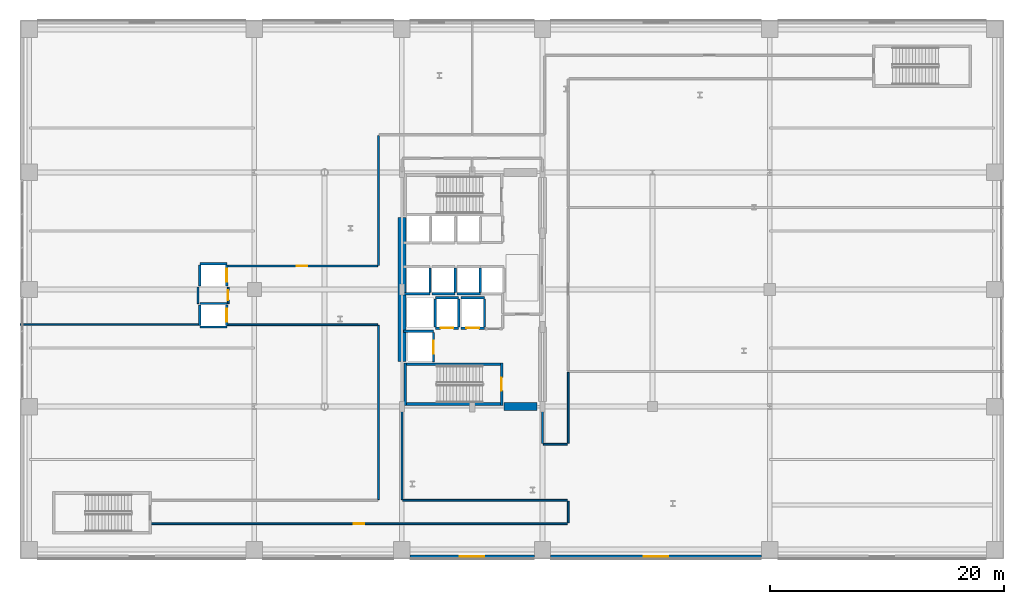
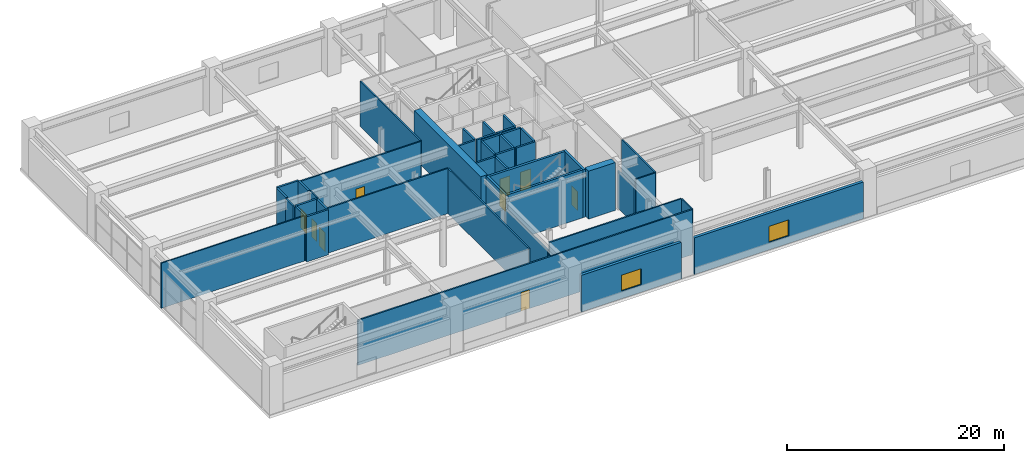
# One storey, part 20 of 28: 44 walls, 9 doors, 2 windows, 11 openings.
"""IFC4 building model written with IfcOpenShell, lengths in metres."""

from ifc_helpers import new_model, si_unit, direction, frame, frame_2d, origin, place, context, subcontext, project, spatial, rectangle, extrude, material, layer, layer_set, type_object, element, fill, save


model = new_model("IFC4")

# Units and contexts
model_context = context("Model", 3, precision=1e-05, world=origin(), true_north=direction((0.0, 1.0)))
body_context = subcontext(model_context, "Body", "Model", "MODEL_VIEW")
ifc_project = project(units=[si_unit("LENGTHUNIT", "METRE"), si_unit("AREAUNIT", "SQUARE_METRE"), si_unit("VOLUMEUNIT", "CUBIC_METRE"), si_unit("PLANEANGLEUNIT", "RADIAN"), si_unit("MASSUNIT", "GRAM", prefix="KILO")], contexts=[model_context])

# Site, building, storey
site_placement = place(None, origin())
site = spatial("IfcSite", under=ifc_project, at=site_placement, CompositionType="ELEMENT")
building_placement = place(site_placement, origin())
building = spatial("IfcBuilding", under=site, at=building_placement, Name="Soratama Intermodal Tower", CompositionType="ELEMENT")
storey_placement = place(building_placement, frame((0.0, 0.0, 6.0)))
storey = spatial("IfcBuildingStorey", under=building, at=storey_placement, Name="L01", CompositionType="ELEMENT", Elevation=6.0)

# Wall, opening, window
ifc_material_1 = material(Name="Concrete f'c 42 MPa", Category="concrete")
ifc_layer_1 = layer(ifc_material_1, 0.300048828125)
ifc_layer_set_1 = layer_set([ifc_layer_1], Name="Concrete f'c 42 MPa")
wall_type_1 = type_object("IfcWallType", Name="EW-STONE-300", PredefinedType="SOLIDWALL", material=ifc_layer_set_1)
wall_1_placement = place(storey_placement, frame((43.89990234375, 2.199951171875, 0.0), z_axis=(0.0, 0.0, 1.0), x_axis=(-1.0, 0.0, 0.0)))
wall_1 = element("IfcWall", 1, at=wall_1_placement, inside=storey, type_object=wall_type_1, Name="L01 S Limestone Wall B3", PredefinedType="SOLIDWALL", context=body_context, shape_type="SweptSolid", body=[
    extrude(rectangle(XDim=10.599853515625, YDim=0.300048828125, at=frame_2d((5.2998046875, 0.0))), origin(), (0.0, 0.0, 1.0), 4.135986328125),
])
opening_1_placement = place(wall_1_placement, frame((4.25, 0.0, 0.85009765625)))
opening_1 = element("IfcOpeningElement", 2, at=opening_1_placement, cuts=wall_1, Name="Opening WN-0", PredefinedType="OPENING", context=body_context, shape_type="SweptSolid", body=[
    extrude(rectangle(XDim=2.10009765625, YDim=1.800048828125, at=frame_2d((1.050048828125, 0.89990234375))), frame((0.0, 0.159912109375, 0.0), z_axis=(0.0, -1.0, 0.0), x_axis=(1.0, 0.0, 0.0)), (0.0, 0.0, 1.0), 0.320068359375),
])
ifc_material_2 = material(Name="Double-glazed aluminium window", Category="aluminium")
window_type = type_object("IfcWindowType", Name="WN-POD-2100", PartitioningType="SINGLE_PANEL", PredefinedType="WINDOW", material=ifc_material_2)
window_1_placement = place(opening_1_placement, origin())
window_1 = element("IfcWindow", 3, at=window_1_placement, inside=storey, type_object=window_type, Name="L01 S Window B3", OverallHeight=1.800048828125, OverallWidth=2.10009765625, PartitioningType="SINGLE_PANEL", PredefinedType="WINDOW", context=body_context, shape_type="SweptSolid", body=[
    extrude(rectangle(XDim=2.10009765625, YDim=1.800048828125, at=frame_2d((1.050048828125, 0.89990234375))), frame((0.0, 0.030029296875, 0.0), z_axis=(0.0, -1.0, 0.0), x_axis=(1.0, 0.0, 0.0)), (0.0, 0.0, 1.0), 0.06005859375),
])
fill(opening_1, window_1)

wall_2_placement = place(storey_placement, frame((63.300048828125, 2.199951171875, 0.0), z_axis=(0.0, 0.0, 1.0), x_axis=(-1.0, 0.0, 0.0)))
wall_2 = element("IfcWall", 4, at=wall_2_placement, inside=storey, type_object=wall_type_1, Name="L01 S Limestone Wall B4", PredefinedType="SOLIDWALL", context=body_context, shape_type="SweptSolid", body=[
    extrude(rectangle(XDim=18.0, YDim=0.300048828125, at=frame_2d((9.0, 0.0))), origin(), (0.0, 0.0, 1.0), 4.135986328125),
])
opening_2_placement = place(wall_2_placement, frame((7.949951171875, 0.0, 0.85009765625)))
opening_2 = element("IfcOpeningElement", 5, at=opening_2_placement, cuts=wall_2, Name="Opening WN-0", PredefinedType="OPENING", context=body_context, shape_type="SweptSolid", body=[
    extrude(rectangle(XDim=2.10009765625, YDim=1.800048828125, at=frame_2d((1.050048828125, 0.89990234375))), frame((0.0, 0.159912109375, 0.0), z_axis=(0.0, -1.0, 0.0), x_axis=(1.0, 0.0, 0.0)), (0.0, 0.0, 1.0), 0.320068359375),
])
window_2_placement = place(opening_2_placement, origin())
window_2 = element("IfcWindow", 6, at=window_2_placement, inside=storey, type_object=window_type, Name="L01 S Window B4", OverallHeight=1.800048828125, OverallWidth=2.10009765625, PartitioningType="SINGLE_PANEL", PredefinedType="WINDOW", context=body_context, shape_type="SweptSolid", body=[
    extrude(rectangle(XDim=2.10009765625, YDim=1.800048828125, at=frame_2d((1.050048828125, 0.89990234375))), frame((0.0, 0.030029296875, 0.0), z_axis=(0.0, -1.0, 0.0), x_axis=(1.0, 0.0, 0.0)), (0.0, 0.0, 1.0), 0.06005859375),
])
fill(opening_2, window_2)

# Wall, opening, door
ifc_material_3 = material(Name="Fire-rated gypsum stud partition", Category="concrete")
ifc_layer_2 = layer(ifc_material_3, 0.14990234375)
ifc_layer_set_2 = layer_set([ifc_layer_2], Name="Fire-rated gypsum stud partition")
wall_type_2 = type_object("IfcWallType", Name="IW-PART-R150", PredefinedType="PARTITIONING", material=ifc_layer_set_2)
wall_3_placement = place(storey_placement, frame((46.72998046875, 5.0, 0.0), z_axis=(0.0, 0.0, 1.0), x_axis=(-1.0, 0.0, 0.0)))
wall_3 = element("IfcWall", 7, at=wall_3_placement, inside=storey, type_object=wall_type_2, Name="L01 Partition W-L01-TP003", PredefinedType="PARTITIONING", context=body_context, shape_type="SweptSolid", body=[
    extrude(rectangle(XDim=35.60986328125, YDim=0.14990234375, at=frame_2d((17.804931640625, 0.0))), origin(), (0.0, 0.0, 1.0), 5.080078125),
])
opening_3_placement = place(wall_3_placement, frame((17.330078125, 0.0, 0.0)))
opening_3 = element("IfcOpeningElement", 8, at=opening_3_placement, cuts=wall_3, Name="Opening ID-6", PredefinedType="OPENING", context=body_context, shape_type="SweptSolid", body=[
    extrude(rectangle(XDim=0.919921875, YDim=2.1201171875, at=frame_2d((0.4599609375, 1.06005859375))), frame((0.0, 0.0849609375, 0.0), z_axis=(0.0, -1.0, 0.0), x_axis=(1.0, 0.0, 0.0)), (0.0, 0.0, 1.0), 0.169921875),
])
ifc_material_4 = material(Name="Solid hardwood acoustic door", Category="wood")
door_type_1 = type_object("IfcDoorType", Name="DR-ROOM-920", OperationType="NOTDEFINED", PredefinedType="DOOR", material=ifc_material_4)
door_1_placement = place(opening_3_placement, origin())
door_1 = element("IfcDoor", 9, at=door_1_placement, inside=storey, type_object=door_type_1, Name="L01 Door D-L01-TP001", OperationType="SINGLE_SWING_RIGHT", OverallHeight=2.1201171875, OverallWidth=0.919921875, PredefinedType="DOOR", context=body_context, shape_type="SweptSolid", body=[
    extrude(rectangle(XDim=0.919921875, YDim=2.1201171875, at=frame_2d((0.4599609375, 1.06005859375))), frame((0.0, 0.02490234375, 0.0), z_axis=(0.0, -1.0, 0.0), x_axis=(1.0, 0.0, 0.0)), (0.0, 0.0, 1.0), 0.050048828125),
])
fill(opening_3, door_1)

# Walls
wall_4_placement = place(storey_placement, frame((30.60009765625, 7.070068359375, 0.0), z_axis=(0.0, 0.0, 1.0), x_axis=(0.0, 1.0, 0.0)))
element("IfcWall", 10, at=wall_4_placement, inside=storey, type_object=wall_type_2, Name="L01 Partition W-L01-TP008", PredefinedType="PARTITIONING", context=body_context, shape_type="SweptSolid", body=[
    extrude(rectangle(XDim=14.85986328125, YDim=0.14990234375, at=frame_2d((7.429931640625, 0.0))), origin(), (0.0, 0.0, 1.0), 5.080078125),
])
wall_5_placement = place(storey_placement, frame((32.669921875, 7.0, 0.0), z_axis=(0.0, 0.0, 1.0), x_axis=(1.0, 0.0, 0.0)))
element("IfcWall", 11, at=wall_5_placement, inside=storey, type_object=wall_type_2, Name="L01 Partition W-L01-TP009", PredefinedType="PARTITIONING", context=body_context, shape_type="SweptSolid", body=[
    extrude(rectangle(XDim=14.06005859375, YDim=0.14990234375, at=frame_2d((7.030029296875, 0.0))), origin(), (0.0, 0.0, 1.0), 5.080078125),
])
wall_6_placement = place(storey_placement, frame((30.530029296875, 22.0, 0.0), z_axis=(0.0, 0.0, 1.0), x_axis=(-1.0, 0.0, 0.0)))
element("IfcWall", 12, at=wall_6_placement, inside=storey, type_object=wall_type_2, Name="L01 Partition W-L01-TP011", PredefinedType="PARTITIONING", context=body_context, shape_type="SweptSolid", body=[
    extrude(rectangle(XDim=12.880126953125, YDim=0.14990234375, at=frame_2d((6.43994140625, 0.0))), origin(), (0.0, 0.0, 1.0), 5.080078125),
])

# Wall, opening, door
wall_7_placement = place(storey_placement, frame((17.64990234375, 27.0, 0.0), z_axis=(0.0, 0.0, 1.0), x_axis=(1.0, 0.0, 0.0)))
wall_7 = element("IfcWall", 13, at=wall_7_placement, inside=storey, type_object=wall_type_2, Name="L01 Partition W-L01-TP012", PredefinedType="PARTITIONING", context=body_context, shape_type="SweptSolid", body=[
    extrude(rectangle(XDim=12.880126953125, YDim=0.14990234375, at=frame_2d((6.43994140625, 0.0))), origin(), (0.0, 0.0, 1.0), 5.080078125),
])
opening_4_placement = place(wall_7_placement, frame((5.965087890625, 0.0, 0.0)))
opening_4 = element("IfcOpeningElement", 14, at=opening_4_placement, cuts=wall_7, Name="Opening ID-6", PredefinedType="OPENING", context=body_context, shape_type="SweptSolid", body=[
    extrude(rectangle(XDim=0.919921875, YDim=2.1201171875, at=frame_2d((0.4599609375, 1.06005859375))), frame((0.0, 0.0849609375, 0.0), z_axis=(0.0, -1.0, 0.0), x_axis=(1.0, 0.0, 0.0)), (0.0, 0.0, 1.0), 0.169921875),
])
door_2_placement = place(opening_4_placement, origin())
door_2 = element("IfcDoor", 15, at=door_2_placement, inside=storey, type_object=door_type_1, Name="L01 Door D-L01-TP004", OperationType="SINGLE_SWING_LEFT", OverallHeight=2.1201171875, OverallWidth=0.919921875, PredefinedType="DOOR", context=body_context, shape_type="SweptSolid", body=[
    extrude(rectangle(XDim=0.919921875, YDim=2.1201171875, at=frame_2d((0.4599609375, 1.06005859375))), frame((0.0, 0.02490234375, 0.0), z_axis=(0.0, -1.0, 0.0), x_axis=(1.0, 0.0, 0.0)), (0.0, 0.0, 1.0), 0.050048828125),
])
fill(opening_4, door_2)

# Walls
wall_8_placement = place(storey_placement, frame((30.60009765625, 27.070068359375, 0.0), z_axis=(0.0, 0.0, 1.0), x_axis=(0.0, 1.0, 0.0)))
element("IfcWall", 16, at=wall_8_placement, inside=storey, type_object=wall_type_2, Name="L01 Partition W-L01-TP013", PredefinedType="PARTITIONING", context=body_context, shape_type="SweptSolid", body=[
    extrude(rectangle(XDim=11.059814453125, YDim=0.14990234375, at=frame_2d((5.52978515625, 0.0))), origin(), (0.0, 0.0, 1.0), 5.080078125),
])
wall_9_placement = place(storey_placement, frame((32.60009765625, 14.929931640625, 0.0), z_axis=(0.0, 0.0, 1.0), x_axis=(0.0, -1.0, 0.0)))
element("IfcWall", 17, at=wall_9_placement, inside=storey, type_object=wall_type_2, Name="L01 Partition W-L01-TP016", PredefinedType="PARTITIONING", context=body_context, shape_type="SweptSolid", body=[
    extrude(rectangle(XDim=7.85986328125, YDim=0.14990234375, at=frame_2d((3.929931640625, 0.0))), origin(), (0.0, 0.0, 1.0), 4.201904296875),
])
wall_10_placement = place(storey_placement, frame((46.800048828125, 17.929931640625, 0.0), z_axis=(0.0, 0.0, 1.0), x_axis=(0.0, -1.0, 0.0)))
element("IfcWall", 18, at=wall_10_placement, inside=storey, type_object=wall_type_2, Name="L01 Partition W-L01-TP020", PredefinedType="PARTITIONING", context=body_context, shape_type="SweptSolid", body=[
    extrude(rectangle(XDim=6.059814453125, YDim=0.14990234375, at=frame_2d((3.02978515625, 0.0))), origin(), (0.0, 0.0, 1.0), 5.080078125),
])
wall_11_placement = place(storey_placement, frame((44.60009765625, 11.8701171875, 0.0), z_axis=(0.0, 0.0, 1.0), x_axis=(0.0, 1.0, 0.0)))
element("IfcWall", 19, at=wall_11_placement, inside=storey, type_object=wall_type_2, Name="L01 Partition W-L01-TP025", PredefinedType="PARTITIONING", context=body_context, shape_type="SweptSolid", body=[
    extrude(rectangle(XDim=3.059814453125, YDim=0.14990234375, at=frame_2d((1.52978515625, 0.0))), origin(), (0.0, 0.0, 1.0), 4.201904296875),
])
wall_12_placement = place(storey_placement, frame((46.72998046875, 11.800048828125, 0.0), z_axis=(0.0, 0.0, 1.0), x_axis=(-1.0, 0.0, 0.0)))
element("IfcWall", 20, at=wall_12_placement, inside=storey, type_object=wall_type_2, Name="L01 Partition W-L01-TP027", PredefinedType="PARTITIONING", context=body_context, shape_type="SweptSolid", body=[
    extrude(rectangle(XDim=2.06005859375, YDim=0.14990234375, at=frame_2d((1.030029296875, 0.0))), origin(), (0.0, 0.0, 1.0), 5.080078125),
])
wall_13_placement = place(storey_placement, frame((46.800048828125, 6.929931640625, 0.0), z_axis=(0.0, 0.0, 1.0), x_axis=(0.0, -1.0, 0.0)))
element("IfcWall", 21, at=wall_13_placement, inside=storey, type_object=wall_type_2, Name="L01 Partition W-L01-TP028", PredefinedType="PARTITIONING", context=body_context, shape_type="SweptSolid", body=[
    extrude(rectangle(XDim=1.85986328125, YDim=0.14990234375, at=frame_2d((0.929931640625, 0.0))), origin(), (0.0, 0.0, 1.0), 5.080078125),
])

# Wall, opening, door
wall_14_placement = place(storey_placement, frame((17.77001953125, 23.800048828125, 0.0), z_axis=(0.0, 0.0, 1.0), x_axis=(0.0, 1.0, 0.0)))
wall_14 = element("IfcWall", 22, at=wall_14_placement, inside=storey, type_object=wall_type_2, Name="L01 Partition W-L01-TP032", PredefinedType="PARTITIONING", context=body_context, shape_type="SweptSolid", body=[
    extrude(rectangle(XDim=1.39990234375, YDim=0.14990234375, at=frame_2d((0.699951171875, 0.0))), origin(), (0.0, 0.0, 1.0), 5.080078125),
])
opening_5_placement = place(wall_14_placement, frame((0.27490234375, 0.0, 0.0)))
opening_5 = element("IfcOpeningElement", 23, at=opening_5_placement, cuts=wall_14, Name="Opening ID-4", PredefinedType="OPENING", context=body_context, shape_type="SweptSolid", body=[
    extrude(rectangle(XDim=0.85009765625, YDim=2.10009765625, at=frame_2d((0.425048828125, 1.050048828125))), frame((0.0, 0.0849609375, 0.0), z_axis=(0.0, -1.0, 0.0), x_axis=(1.0, 0.0, 0.0)), (0.0, 0.0, 1.0), 0.169921875),
])
ifc_material_5 = material(Name="Solid hardwood acoustic door", Category="wood")
door_type_2 = type_object("IfcDoorType", Name="DR-BATH-850", OperationType="NOTDEFINED", PredefinedType="DOOR", material=ifc_material_5)
door_3_placement = place(opening_5_placement, origin())
door_3 = element("IfcDoor", 24, at=door_3_placement, inside=storey, type_object=door_type_2, Name="L01 Door D-L01-TP011", OperationType="SINGLE_SWING_LEFT", OverallHeight=2.10009765625, OverallWidth=0.85009765625, PredefinedType="DOOR", context=body_context, shape_type="SweptSolid", body=[
    extrude(rectangle(XDim=0.85009765625, YDim=2.10009765625, at=frame_2d((0.425048828125, 1.050048828125))), frame((0.0, 0.02490234375, 0.0), z_axis=(0.0, -1.0, 0.0), x_axis=(1.0, 0.0, 0.0)), (0.0, 0.0, 1.0), 0.050048828125),
])
fill(opening_5, door_3)

# Walls
wall_15_placement = place(storey_placement, frame((15.205078125, 23.800048828125, 0.0), z_axis=(0.0, 0.0, 1.0), x_axis=(0.0, 1.0, 0.0)))
element("IfcWall", 25, at=wall_15_placement, inside=storey, type_object=wall_type_2, Name="L01 Partition W-L01-TP033", PredefinedType="PARTITIONING", context=body_context, shape_type="SweptSolid", body=[
    extrude(rectangle(XDim=1.39990234375, YDim=0.14990234375, at=frame_2d((0.699951171875, 0.0))), origin(), (0.0, 0.0, 1.0), 5.080078125),
])
ifc_material_6 = material(Name="Fire-rated gypsum stud partition", Category="concrete")
ifc_layer_3 = layer(ifc_material_6, 0.1298828125)
ifc_layer_set_3 = layer_set([ifc_layer_3], Name="Fire-rated gypsum stud partition")
wall_type_3 = type_object("IfcWallType", Name="IW-PART-S130", PredefinedType="PARTITIONING", material=ifc_layer_set_3)
wall_16_placement = place(storey_placement, frame((0.0, 22.0, 0.0), z_axis=(0.0, 0.0, 1.0), x_axis=(1.0, 0.0, 0.0)))
element("IfcWall", 26, at=wall_16_placement, inside=storey, type_object=wall_type_3, Name="L01 Partition W-L01-TP007", PredefinedType="PARTITIONING", context=body_context, shape_type="SweptSolid", body=[
    extrude(rectangle(XDim=15.35009765625, YDim=0.1298828125, at=frame_2d((7.675048828125, 0.0))), origin(), (0.0, 0.0, 1.0), 5.080078125),
])

# Wall, opening, door
ifc_material_7 = material(Name="Concrete f'c 42 MPa", Category="concrete")
ifc_layer_4 = layer(ifc_material_7, 0.199951171875)
ifc_layer_set_4 = layer_set([ifc_layer_4], Name="Concrete f'c 42 MPa")
wall_type_4 = type_object("IfcWallType", Name="IW-SHAFT-200", PredefinedType="SOLIDWALL", material=ifc_layer_set_4)
wall_17_placement = place(storey_placement, frame((35.449951171875, 21.699951171875, 0.0), z_axis=(0.0, 0.0, 1.0), x_axis=(1.0, 0.0, 0.0)))
wall_17 = element("IfcWall", 27, at=wall_17_placement, inside=storey, type_object=wall_type_4, Name="L01 FFL-1 Hoistway Wall S", PredefinedType="SOLIDWALL", context=body_context, shape_type="SweptSolid", body=[
    extrude(rectangle(XDim=2.0, YDim=0.199951171875, at=frame_2d((1.0, 0.0))), origin(), (0.0, 0.0, 1.0), 5.080078125),
])
opening_6_placement = place(wall_17_placement, frame((0.449951171875, 0.0, 0.0)))
opening_6 = element("IfcOpeningElement", 28, at=opening_6_placement, cuts=wall_17, Name="Opening LD-1", PredefinedType="OPENING", context=body_context, shape_type="SweptSolid", body=[
    extrude(rectangle(XDim=1.10009765625, YDim=2.14990234375, at=frame_2d((0.550048828125, 1.074951171875))), frame((0.0, 0.10986328125, 0.0), z_axis=(0.0, -1.0, 0.0), x_axis=(1.0, 0.0, 0.0)), (0.0, 0.0, 1.0), 0.219970703125),
])
ifc_material_8 = material(Name="Steel fire door", Category="steel")
door_type_3 = type_object("IfcDoorType", Name="DR-LIFT-SLIDE", OperationType="NOTDEFINED", PredefinedType="DOOR", material=ifc_material_8)
door_4_placement = place(opening_6_placement, origin())
door_4 = element("IfcDoor", 29, at=door_4_placement, inside=storey, type_object=door_type_3, Name="L01 FFL-1 Sliding Landing Door", OperationType="SLIDING_TO_LEFT", OverallHeight=2.14990234375, OverallWidth=1.10009765625, PredefinedType="DOOR", context=body_context, shape_type="SweptSolid", body=[
    extrude(rectangle(XDim=1.10009765625, YDim=2.14990234375, at=frame_2d((0.550048828125, 1.074951171875))), frame((0.0, 0.02490234375, 0.0), z_axis=(0.0, -1.0, 0.0), x_axis=(1.0, 0.0, 0.0)), (0.0, 0.0, 1.0), 0.050048828125),
])
fill(opening_6, door_4)

# Walls
wall_18_placement = place(storey_placement, frame((35.449951171875, 24.300048828125, 0.0), z_axis=(0.0, 0.0, 1.0), x_axis=(1.0, 0.0, 0.0)))
element("IfcWall", 30, at=wall_18_placement, inside=storey, type_object=wall_type_4, Name="L01 FFL-1 Hoistway Wall N", PredefinedType="SOLIDWALL", context=body_context, shape_type="SweptSolid", body=[
    extrude(rectangle(XDim=2.0, YDim=0.199951171875, at=frame_2d((1.0, 0.0))), origin(), (0.0, 0.0, 1.0), 5.080078125),
])
for number, where, z_axis, x_axis, name in (
    (31, (35.449951171875, 21.81005859375, 0.0), (0.0, 0.0, 1.0), (0.0, 1.0, 0.0), "L01 FFL-1 Hoistway Wall W"),
    (32, (37.449951171875, 21.81005859375, 0.0), (0.0, 0.0, 1.0), (0.0, 1.0, 0.0), "L01 FFL-1 Hoistway Wall E"),
):
    element("IfcWall", number, at=place(storey_placement, frame(where, z_axis=z_axis, x_axis=x_axis)), inside=storey, type_object=wall_type_4, Name=name, PredefinedType="SOLIDWALL", context=body_context, shape_type="SweptSolid", body=[
        extrude(rectangle(XDim=2.3798828125, YDim=0.199951171875, at=frame_2d((1.18994140625, 0.0))), origin(), (0.0, 0.0, 1.0), 5.080078125),
    ])

# Wall, opening, door
wall_19_placement = place(storey_placement, frame((37.64990234375, 21.699951171875, 0.0), z_axis=(0.0, 0.0, 1.0), x_axis=(1.0, 0.0, 0.0)))
wall_19 = element("IfcWall", 33, at=wall_19_placement, inside=storey, type_object=wall_type_4, Name="L01 FFL-2 Hoistway Wall S", PredefinedType="SOLIDWALL", context=body_context, shape_type="SweptSolid", body=[
    extrude(rectangle(XDim=2.0, YDim=0.199951171875, at=frame_2d((1.0, 0.0))), origin(), (0.0, 0.0, 1.0), 5.080078125),
])
opening_7_placement = place(wall_19_placement, frame((0.449951171875, 0.0, 0.0)))
opening_7 = element("IfcOpeningElement", 34, at=opening_7_placement, cuts=wall_19, Name="Opening LD-1", PredefinedType="OPENING", context=body_context, shape_type="SweptSolid", body=[
    extrude(rectangle(XDim=1.10009765625, YDim=2.14990234375, at=frame_2d((0.550048828125, 1.074951171875))), frame((0.0, 0.10986328125, 0.0), z_axis=(0.0, -1.0, 0.0), x_axis=(1.0, 0.0, 0.0)), (0.0, 0.0, 1.0), 0.219970703125),
])
door_5_placement = place(opening_7_placement, origin())
door_5 = element("IfcDoor", 35, at=door_5_placement, inside=storey, type_object=door_type_3, Name="L01 FFL-2 Sliding Landing Door", OperationType="SLIDING_TO_LEFT", OverallHeight=2.14990234375, OverallWidth=1.10009765625, PredefinedType="DOOR", context=body_context, shape_type="SweptSolid", body=[
    extrude(rectangle(XDim=1.10009765625, YDim=2.14990234375, at=frame_2d((0.550048828125, 1.074951171875))), frame((0.0, 0.02490234375, 0.0), z_axis=(0.0, -1.0, 0.0), x_axis=(1.0, 0.0, 0.0)), (0.0, 0.0, 1.0), 0.050048828125),
])
fill(opening_7, door_5)

# Walls
wall_20_placement = place(storey_placement, frame((37.64990234375, 24.300048828125, 0.0), z_axis=(0.0, 0.0, 1.0), x_axis=(1.0, 0.0, 0.0)))
element("IfcWall", 36, at=wall_20_placement, inside=storey, type_object=wall_type_4, Name="L01 FFL-2 Hoistway Wall N", PredefinedType="SOLIDWALL", context=body_context, shape_type="SweptSolid", body=[
    extrude(rectangle(XDim=2.0, YDim=0.199951171875, at=frame_2d((1.0, 0.0))), origin(), (0.0, 0.0, 1.0), 5.080078125),
])
wall_21_placement = place(storey_placement, frame((39.64990234375, 21.81005859375, 0.0), z_axis=(0.0, 0.0, 1.0), x_axis=(0.0, 1.0, 0.0)))
element("IfcWall", 37, at=wall_21_placement, inside=storey, type_object=wall_type_4, Name="L01 FFL-2 Hoistway Wall E", PredefinedType="SOLIDWALL", context=body_context, shape_type="SweptSolid", body=[
    extrude(rectangle(XDim=2.3798828125, YDim=0.199951171875, at=frame_2d((1.18994140625, 0.0))), origin(), (0.0, 0.0, 1.0), 5.080078125),
])
wall_22_placement = place(storey_placement, frame((32.719970703125, 21.449951171875, 0.0), z_axis=(0.0, 0.0, 1.0), x_axis=(1.0, 0.0, 0.0)))
element("IfcWall", 38, at=wall_22_placement, inside=storey, type_object=wall_type_4, Name="L01 SVL-1 Hoistway Wall N", PredefinedType="SOLIDWALL", context=body_context, shape_type="SweptSolid", body=[
    extrude(rectangle(XDim=2.580078125, YDim=0.199951171875, at=frame_2d((1.2900390625, 0.0))), origin(), (0.0, 0.0, 1.0), 5.080078125),
])

# Wall, opening, door
wall_23_placement = place(storey_placement, frame((35.300048828125, 18.7900390625, 0.0), z_axis=(0.0, 0.0, 1.0), x_axis=(0.0, 1.0, 0.0)))
wall_23 = element("IfcWall", 39, at=wall_23_placement, inside=storey, type_object=wall_type_4, Name="L01 SVL-1 Hoistway Wall E", PredefinedType="SOLIDWALL", context=body_context, shape_type="SweptSolid", body=[
    extrude(rectangle(XDim=2.550048828125, YDim=0.199951171875, at=frame_2d((1.27490234375, 0.0))), origin(), (0.0, 0.0, 1.0), 5.080078125),
])
opening_8_placement = place(wall_23_placement, frame((0.72509765625, 0.0, 0.0)))
opening_8 = element("IfcOpeningElement", 40, at=opening_8_placement, cuts=wall_23, Name="Opening LD-1", PredefinedType="OPENING", context=body_context, shape_type="SweptSolid", body=[
    extrude(rectangle(XDim=1.10009765625, YDim=2.14990234375, at=frame_2d((0.550048828125, 1.074951171875))), frame((0.0, 0.10986328125, 0.0), z_axis=(0.0, -1.0, 0.0), x_axis=(1.0, 0.0, 0.0)), (0.0, 0.0, 1.0), 0.219970703125),
])
door_6_placement = place(opening_8_placement, origin())
door_6 = element("IfcDoor", 41, at=door_6_placement, inside=storey, type_object=door_type_3, Name="L01 SVL-1 Sliding Landing Door", OperationType="SLIDING_TO_LEFT", OverallHeight=2.14990234375, OverallWidth=1.10009765625, PredefinedType="DOOR", context=body_context, shape_type="SweptSolid", body=[
    extrude(rectangle(XDim=1.10009765625, YDim=2.14990234375, at=frame_2d((0.550048828125, 1.074951171875))), frame((0.0, 0.02490234375, 0.0), z_axis=(0.0, -1.0, 0.0), x_axis=(1.0, 0.0, 0.0)), (0.0, 0.0, 1.0), 0.050048828125),
])
fill(opening_8, door_6)

# Walls
for number, where, z_axis, x_axis, name in (
    (42, (15.35009765625, 21.800048828125, 0.0), (0.0, 0.0, 1.0), (1.0, 0.0, 0.0), "L01 PL-P1 Hoistway Wall S"),
    (43, (15.35009765625, 23.800048828125, 0.0), (0.0, 0.0, 1.0), (1.0, 0.0, 0.0), "L01 PL-P1 Hoistway Wall N"),
):
    element("IfcWall", number, at=place(storey_placement, frame(where, z_axis=z_axis, x_axis=x_axis)), inside=storey, type_object=wall_type_4, Name=name, PredefinedType="SOLIDWALL", context=body_context, shape_type="SweptSolid", body=[
        extrude(rectangle(XDim=2.2998046875, YDim=0.199951171875, at=frame_2d((1.14990234375, 0.0))), origin(), (0.0, 0.0, 1.0), 5.080078125),
    ])
wall_24_placement = place(storey_placement, frame((15.35009765625, 21.909912109375, 0.0), z_axis=(0.0, 0.0, 1.0), x_axis=(0.0, 1.0, 0.0)))
element("IfcWall", 44, at=wall_24_placement, inside=storey, type_object=wall_type_4, Name="L01 PL-P1 Hoistway Wall W", PredefinedType="SOLIDWALL", context=body_context, shape_type="SweptSolid", body=[
    extrude(rectangle(XDim=1.780029296875, YDim=0.199951171875, at=frame_2d((0.89013671875, 0.0))), origin(), (0.0, 0.0, 1.0), 5.080078125),
])

# Wall, opening, door
wall_25_placement = place(storey_placement, frame((17.64990234375, 21.909912109375, 0.0), z_axis=(0.0, 0.0, 1.0), x_axis=(0.0, 1.0, 0.0)))
wall_25 = element("IfcWall", 45, at=wall_25_placement, inside=storey, type_object=wall_type_4, Name="L01 PL-P1 Hoistway Wall E", PredefinedType="SOLIDWALL", context=body_context, shape_type="SweptSolid", body=[
    extrude(rectangle(XDim=1.780029296875, YDim=0.199951171875, at=frame_2d((0.89013671875, 0.0))), origin(), (0.0, 0.0, 1.0), 5.080078125),
])
opening_9_placement = place(wall_25_placement, frame((0.340087890625, 0.0, 0.0)))
opening_9 = element("IfcOpeningElement", 46, at=opening_9_placement, cuts=wall_25, Name="Opening LD-1", PredefinedType="OPENING", context=body_context, shape_type="SweptSolid", body=[
    extrude(rectangle(XDim=1.10009765625, YDim=2.14990234375, at=frame_2d((0.550048828125, 1.074951171875))), frame((0.0, 0.10986328125, 0.0), z_axis=(0.0, -1.0, 0.0), x_axis=(1.0, 0.0, 0.0)), (0.0, 0.0, 1.0), 0.219970703125),
])
door_7_placement = place(opening_9_placement, origin())
door_7 = element("IfcDoor", 47, at=door_7_placement, inside=storey, type_object=door_type_3, Name="L01 PL-P1 Sliding Landing Door", OperationType="SLIDING_TO_LEFT", OverallHeight=2.14990234375, OverallWidth=1.10009765625, PredefinedType="DOOR", context=body_context, shape_type="SweptSolid", body=[
    extrude(rectangle(XDim=1.10009765625, YDim=2.14990234375, at=frame_2d((0.550048828125, 1.074951171875))), frame((0.0, 0.02490234375, 0.0), z_axis=(0.0, -1.0, 0.0), x_axis=(1.0, 0.0, 0.0)), (0.0, 0.0, 1.0), 0.050048828125),
])
fill(opening_9, door_7)

# Walls
wall_26_placement = place(storey_placement, frame((15.35009765625, 27.199951171875, 0.0), z_axis=(0.0, 0.0, 1.0), x_axis=(1.0, 0.0, 0.0)))
element("IfcWall", 48, at=wall_26_placement, inside=storey, type_object=wall_type_4, Name="L01 PL-P2 Hoistway Wall N", PredefinedType="SOLIDWALL", context=body_context, shape_type="SweptSolid", body=[
    extrude(rectangle(XDim=2.2998046875, YDim=0.199951171875, at=frame_2d((1.14990234375, 0.0))), origin(), (0.0, 0.0, 1.0), 5.080078125),
])
wall_27_placement = place(storey_placement, frame((15.35009765625, 25.31005859375, 0.0), z_axis=(0.0, 0.0, 1.0), x_axis=(0.0, 1.0, 0.0)))
element("IfcWall", 49, at=wall_27_placement, inside=storey, type_object=wall_type_4, Name="L01 PL-P2 Hoistway Wall W", PredefinedType="SOLIDWALL", context=body_context, shape_type="SweptSolid", body=[
    extrude(rectangle(XDim=1.780029296875, YDim=0.199951171875, at=frame_2d((0.89013671875, 0.0))), origin(), (0.0, 0.0, 1.0), 5.080078125),
])

# Wall, opening, door
wall_28_placement = place(storey_placement, frame((17.64990234375, 25.31005859375, 0.0), z_axis=(0.0, 0.0, 1.0), x_axis=(0.0, 1.0, 0.0)))
wall_28 = element("IfcWall", 50, at=wall_28_placement, inside=storey, type_object=wall_type_4, Name="L01 PL-P2 Hoistway Wall E", PredefinedType="SOLIDWALL", context=body_context, shape_type="SweptSolid", body=[
    extrude(rectangle(XDim=1.780029296875, YDim=0.199951171875, at=frame_2d((0.89013671875, 0.0))), origin(), (0.0, 0.0, 1.0), 5.080078125),
])
opening_10_placement = place(wall_28_placement, frame((0.340087890625, 0.0, 0.0)))
opening_10 = element("IfcOpeningElement", 51, at=opening_10_placement, cuts=wall_28, Name="Opening LD-1", PredefinedType="OPENING", context=body_context, shape_type="SweptSolid", body=[
    extrude(rectangle(XDim=1.10009765625, YDim=2.14990234375, at=frame_2d((0.550048828125, 1.074951171875))), frame((0.0, 0.10986328125, 0.0), z_axis=(0.0, -1.0, 0.0), x_axis=(1.0, 0.0, 0.0)), (0.0, 0.0, 1.0), 0.219970703125),
])
door_8_placement = place(opening_10_placement, origin())
door_8 = element("IfcDoor", 52, at=door_8_placement, inside=storey, type_object=door_type_3, Name="L01 PL-P2 Sliding Landing Door", OperationType="SLIDING_TO_LEFT", OverallHeight=2.14990234375, OverallWidth=1.10009765625, PredefinedType="DOOR", context=body_context, shape_type="SweptSolid", body=[
    extrude(rectangle(XDim=1.10009765625, YDim=2.14990234375, at=frame_2d((0.550048828125, 1.074951171875))), frame((0.0, 0.02490234375, 0.0), z_axis=(0.0, -1.0, 0.0), x_axis=(1.0, 0.0, 0.0)), (0.0, 0.0, 1.0), 0.050048828125),
])
fill(opening_10, door_8)

# Walls
wall_29_placement = place(storey_placement, frame((32.719970703125, 24.64990234375, 0.0), z_axis=(0.0, 0.0, 1.0), x_axis=(1.0, 0.0, 0.0)))
element("IfcWall", 53, at=wall_29_placement, inside=storey, type_object=wall_type_4, Name="L01 PL-L1 Hoistway Wall S", PredefinedType="SOLIDWALL", context=body_context, shape_type="SweptSolid", body=[
    extrude(rectangle(XDim=2.280029296875, YDim=0.199951171875, at=frame_2d((1.14013671875, 0.0))), origin(), (0.0, 0.0, 1.0), 5.080078125),
])
wall_30_placement = place(storey_placement, frame((35.0, 24.760009765625, 0.0), z_axis=(0.0, 0.0, 1.0), x_axis=(0.0, 1.0, 0.0)))
element("IfcWall", 54, at=wall_30_placement, inside=storey, type_object=wall_type_4, Name="L01 PL-L1 Hoistway Wall E", PredefinedType="SOLIDWALL", context=body_context, shape_type="SweptSolid", body=[
    extrude(rectangle(XDim=2.080078125, YDim=0.199951171875, at=frame_2d((1.0400390625, 0.0))), origin(), (0.0, 0.0, 1.0), 5.080078125),
])
wall_31_placement = place(storey_placement, frame((35.14990234375, 24.64990234375, 0.0), z_axis=(0.0, 0.0, 1.0), x_axis=(1.0, 0.0, 0.0)))
element("IfcWall", 55, at=wall_31_placement, inside=storey, type_object=wall_type_4, Name="L01 PL-L2 Hoistway Wall S", PredefinedType="SOLIDWALL", context=body_context, shape_type="SweptSolid", body=[
    extrude(rectangle(XDim=2.0, YDim=0.199951171875, at=frame_2d((1.0, 0.0))), origin(), (0.0, 0.0, 1.0), 5.080078125),
])
wall_32_placement = place(storey_placement, frame((37.14990234375, 24.760009765625, 0.0), z_axis=(0.0, 0.0, 1.0), x_axis=(0.0, 1.0, 0.0)))
element("IfcWall", 56, at=wall_32_placement, inside=storey, type_object=wall_type_4, Name="L01 PL-L2 Hoistway Wall E", PredefinedType="SOLIDWALL", context=body_context, shape_type="SweptSolid", body=[
    extrude(rectangle(XDim=2.080078125, YDim=0.199951171875, at=frame_2d((1.0400390625, 0.0))), origin(), (0.0, 0.0, 1.0), 5.080078125),
])
wall_33_placement = place(storey_placement, frame((37.300048828125, 24.64990234375, 0.0), z_axis=(0.0, 0.0, 1.0), x_axis=(1.0, 0.0, 0.0)))
element("IfcWall", 57, at=wall_33_placement, inside=storey, type_object=wall_type_4, Name="L01 PL-L3 Hoistway Wall S", PredefinedType="SOLIDWALL", context=body_context, shape_type="SweptSolid", body=[
    extrude(rectangle(XDim=2.0, YDim=0.199951171875, at=frame_2d((1.0, 0.0))), origin(), (0.0, 0.0, 1.0), 5.080078125),
])
wall_34_placement = place(storey_placement, frame((39.300048828125, 24.760009765625, 0.0), z_axis=(0.0, 0.0, 1.0), x_axis=(0.0, 1.0, 0.0)))
element("IfcWall", 58, at=wall_34_placement, inside=storey, type_object=wall_type_4, Name="L01 PL-L3 Hoistway Wall E", PredefinedType="SOLIDWALL", context=body_context, shape_type="SweptSolid", body=[
    extrude(rectangle(XDim=2.080078125, YDim=0.199951171875, at=frame_2d((1.0400390625, 0.0))), origin(), (0.0, 0.0, 1.0), 5.080078125),
])
ifc_material_9 = material(Name="Concrete f'c 56 MPa", Category="concrete")
ifc_layer_5 = layer(ifc_material_9, 0.699951171875)
ifc_layer_set_5 = layer_set([ifc_layer_5], Name="Concrete f'c 56 MPa")
wall_type_5 = type_object("IfcWallType", Name="SW-CORE-700", PredefinedType="SHEAR", material=ifc_layer_set_5)
wall_35_placement = place(storey_placement, frame((32.60009765625, 18.85009765625, 0.0), z_axis=(0.0, 0.0, 1.0), x_axis=(0.0, 1.0, 0.0)))
element("IfcWall", 59, at=wall_35_placement, inside=storey, type_object=wall_type_5, Name="L01 Core Shear Wall CW-WMID", PredefinedType="SHEAR", context=body_context, shape_type="SweptSolid", body=[
    extrude(rectangle(XDim=12.2998046875, YDim=0.699951171875, at=frame_2d((6.14990234375, 0.0))), origin(), (0.0, 0.0, 1.0), 5.39990234375),
])
wall_36_placement = place(storey_placement, frame((41.300048828125, 15.0, 0.0), z_axis=(0.0, 0.0, 1.0), x_axis=(1.0, 0.0, 0.0)))
element("IfcWall", 60, at=wall_36_placement, inside=storey, type_object=wall_type_5, Name="L01 Core Shear Wall CW-SE", PredefinedType="SHEAR", context=body_context, shape_type="SweptSolid", body=[
    extrude(rectangle(XDim=2.849853515625, YDim=0.699951171875, at=frame_2d((1.4248046875, 0.0))), origin(), (0.0, 0.0, 1.0), 5.39990234375),
])
ifc_material_10 = material(Name="Concrete f'c 56 MPa", Category="concrete")
ifc_layer_6 = layer(ifc_material_10, 0.239990234375)
ifc_layer_set_6 = layer_set([ifc_layer_6], Name="Concrete f'c 56 MPa")
wall_type_6 = type_object("IfcWallType", Name="SW-STAIR-240", PredefinedType="SHEAR", material=ifc_layer_set_6)
wall_37_placement = place(storey_placement, frame((32.8798828125, 15.110107421875, 0.0), z_axis=(0.0, 0.0, 1.0), x_axis=(0.0, 1.0, 0.0)))
element("IfcWall", 61, at=wall_37_placement, inside=storey, type_object=wall_type_6, Name="L01 ST-1 Shaft Shear Wall W", PredefinedType="SHEAR", context=body_context, shape_type="SweptSolid", body=[
    extrude(rectangle(XDim=3.6298828125, YDim=0.239990234375, at=frame_2d((1.81494140625, 0.0))), origin(), (0.0, 0.0, 1.0), 5.39990234375),
])

# Wall, opening, door
wall_38_placement = place(storey_placement, frame((41.1201171875, 15.110107421875, 0.0), z_axis=(0.0, 0.0, 1.0), x_axis=(0.0, 1.0, 0.0)))
wall_38 = element("IfcWall", 62, at=wall_38_placement, inside=storey, type_object=wall_type_6, Name="L01 ST-1 Shaft Shear Wall E", PredefinedType="SHEAR", context=body_context, shape_type="SweptSolid", body=[
    extrude(rectangle(XDim=3.6298828125, YDim=0.239990234375, at=frame_2d((1.81494140625, 0.0))), origin(), (0.0, 0.0, 1.0), 5.39990234375),
])
opening_11_placement = place(wall_38_placement, frame((1.2548828125, 0.0, 0.0)))
opening_11 = element("IfcOpeningElement", 63, at=opening_11_placement, cuts=wall_38, Name="Opening SD-1", PredefinedType="OPENING", context=body_context, shape_type="SweptSolid", body=[
    extrude(rectangle(XDim=1.1201171875, YDim=2.14990234375, at=frame_2d((0.56005859375, 1.074951171875))), frame((0.0, 0.1298828125, 0.0), z_axis=(0.0, -1.0, 0.0), x_axis=(1.0, 0.0, 0.0)), (0.0, 0.0, 1.0), 0.260009765625),
])
ifc_material_11 = material(Name="Steel fire door", Category="steel")
door_type_4 = type_object("IfcDoorType", Name="DR-STAIR-FD90", OperationType="NOTDEFINED", PredefinedType="DOOR", material=ifc_material_11)
door_9_placement = place(opening_11_placement, origin())
door_9 = element("IfcDoor", 64, at=door_9_placement, inside=storey, type_object=door_type_4, Name="L01 ST-1 Exit Stair Door", OperationType="SINGLE_SWING_LEFT", OverallHeight=2.14990234375, OverallWidth=1.1201171875, PredefinedType="DOOR", context=body_context, shape_type="SweptSolid", body=[
    extrude(rectangle(XDim=1.1201171875, YDim=2.14990234375, at=frame_2d((0.56005859375, 1.074951171875))), frame((0.0, 0.02490234375, 0.0), z_axis=(0.0, -1.0, 0.0), x_axis=(1.0, 0.0, 0.0)), (0.0, 0.0, 1.0), 0.050048828125),
])
fill(opening_11, door_9)

# Walls
for number, where, z_axis, x_axis, name in (
    (65, (33.0, 15.22998046875, 0.0), (0.0, 0.0, 1.0), (1.0, 0.0, 0.0), "L01 ST-1 Shaft Shear Wall S"),
    (66, (33.0, 18.6201171875, 0.0), (0.0, 0.0, 1.0), (1.0, 0.0, 0.0), "L01 ST-1 Shaft Shear Wall N"),
):
    element("IfcWall", number, at=place(storey_placement, frame(where, z_axis=z_axis, x_axis=x_axis)), inside=storey, type_object=wall_type_6, Name=name, PredefinedType="SHEAR", context=body_context, shape_type="SweptSolid", body=[
        extrude(rectangle(XDim=8.0, YDim=0.239990234375, at=frame_2d((4.0, 0.0))), origin(), (0.0, 0.0, 1.0), 5.39990234375),
    ])

save(model, "model.ifc")
